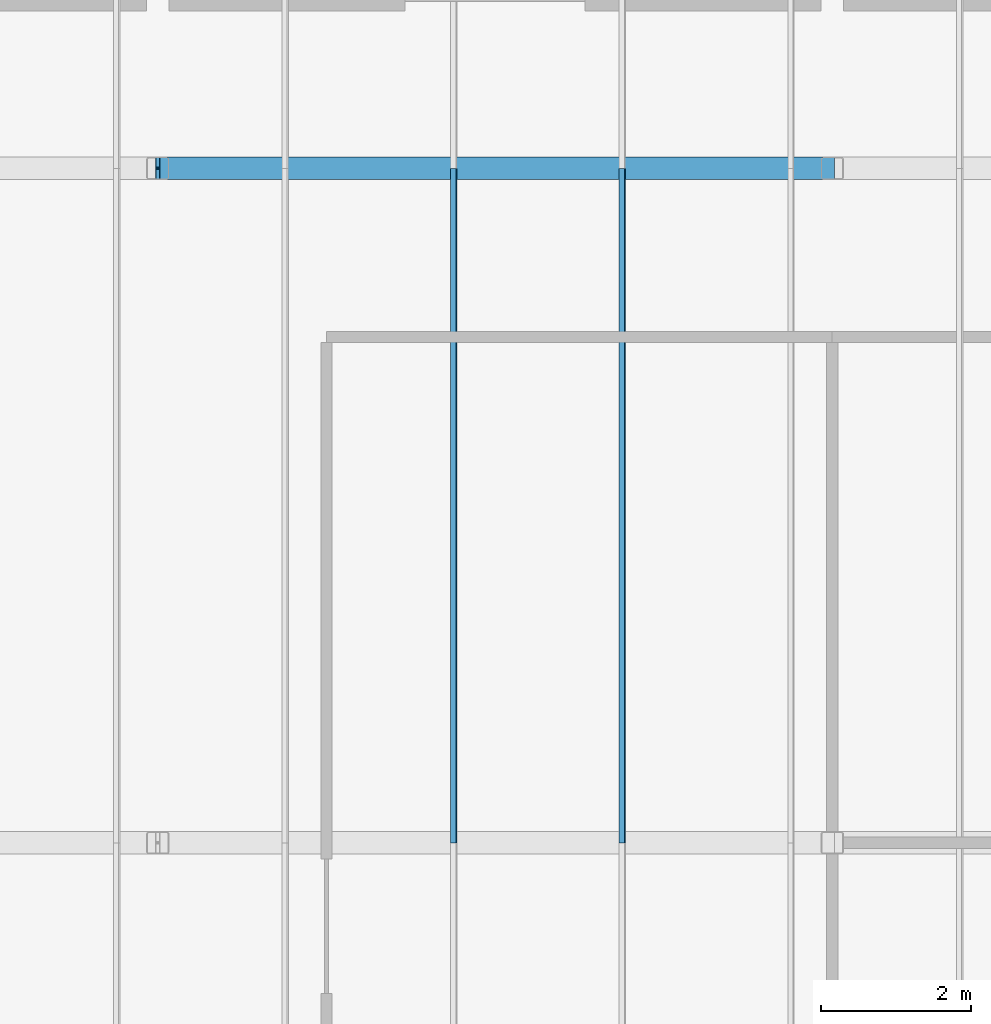
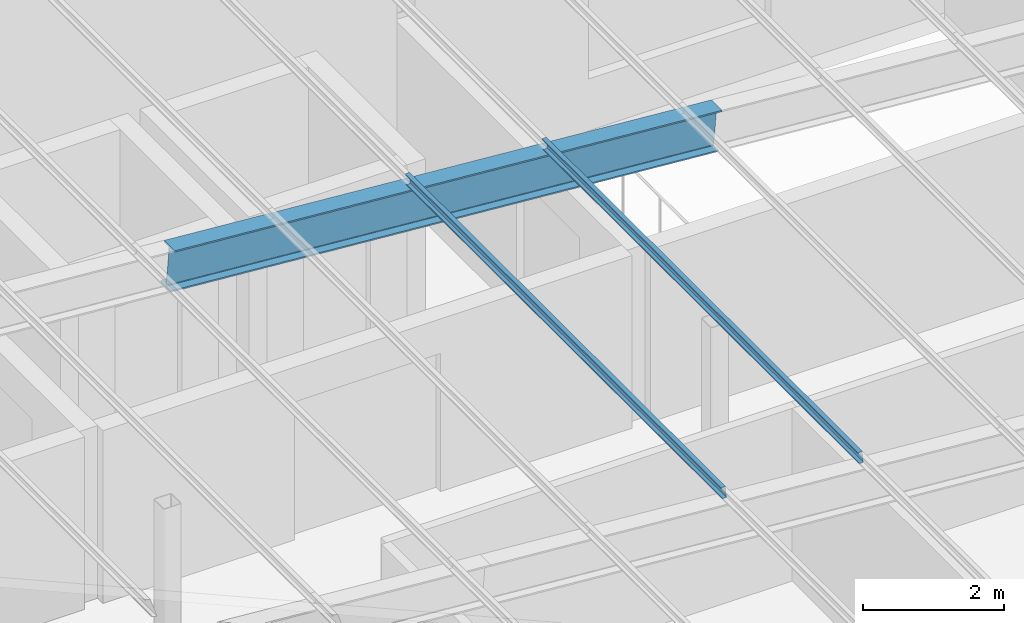
# One storey, part 52 of 85: 3 members.
"""IFC4 building model written with IfcOpenShell, lengths in metres."""

import ifcopenshell
import ifcopenshell.guid

model = None  # the IFC model being written
_history = None  # IfcOwnerHistory: only IFC2X3 demands one
_inside = {}  # id of a spatial element -> (the spatial element, [elements in it])
_under = {}  # id of a project, library or spatial element -> (it, [spatial elements below it])
_declared = {}  # id of a project -> (the project, [libraries it declares])
_typed = {}  # id of a type object -> (the type object, [elements of that type])
_made_of = {}  # id of a material, layer set ... -> (it, [elements and type objects made of it])


def new_model(schema):
    """Start an empty IFC model of exactly this schema.

    Asked for "IFC4X3", IfcOpenShell would pick the latest addendum, in which some entities
    have other attributes; the version numbers below select the first issue.
    IFC2X3 requires an IfcOwnerHistory on every rooted entity: one is made here for all.
    """
    global model, _history
    if schema == "IFC4X3":
        model = ifcopenshell.file(schema_version=(4, 3, 0, 0))
    else:
        model = ifcopenshell.file(schema=schema)
    _inside.clear()
    _under.clear()
    _declared.clear()
    _typed.clear()
    _made_of.clear()
    _history = None
    if model.schema == "IFC2X3":
        org = make("IfcOrganization", Name="unknown")
        user = make(
            "IfcPersonAndOrganization",
            ThePerson=make("IfcPerson", FamilyName="unknown"),
            TheOrganization=org,
        )
        app = make(
            "IfcApplication",
            ApplicationDeveloper=org,
            Version="unknown",
            ApplicationFullName="unknown",
            ApplicationIdentifier="unknown",
        )
        _history = make(
            "IfcOwnerHistory",
            OwningUser=user,
            OwningApplication=app,
            ChangeAction="ADDED",
            CreationDate=0,
        )
    return model


def make(cls, **values):
    """One entity of the class cls with the attributes given. An attribute that is None is left unset."""
    return model.create_entity(
        cls, **{name: value for name, value in values.items() if value is not None}
    )


def rooted(cls, **values):
    """An entity with a GlobalId (a new one), such as an element, a storey or a relation."""
    return make(cls, GlobalId=ifcopenshell.guid.new(), OwnerHistory=_history, **values)


def si_unit(unit_type, name, prefix=None):
    """IfcSIUnit, for example si_unit("LENGTHUNIT", "METRE", prefix="MILLI")."""
    return make("IfcSIUnit", UnitType=unit_type, Prefix=prefix, Name=name)


def assignment(units):
    """IfcUnitAssignment: the units of a project."""
    return None if units is None else make("IfcUnitAssignment", Units=units)


def point(xyz):
    """IfcCartesianPoint."""
    return None if xyz is None else make("IfcCartesianPoint", Coordinates=xyz)


def direction(xyz):
    """IfcDirection."""
    return None if xyz is None else make("IfcDirection", DirectionRatios=xyz)


def frame(location, z_axis=None, x_axis=None):
    """IfcAxis2Placement3D, a coordinate frame: its origin and axes. An axis left out is left unset."""
    return make(
        "IfcAxis2Placement3D",
        Location=point(location),
        Axis=direction(z_axis),
        RefDirection=direction(x_axis),
    )


def frame_2d(location, x_axis=None):
    """IfcAxis2Placement2D, a coordinate frame in the plane: its origin and x axis."""
    return make(
        "IfcAxis2Placement2D", Location=point(location), RefDirection=direction(x_axis)
    )


def origin():
    """The frame at (0, 0, 0) with its axes left unset."""
    return frame((0.0, 0.0, 0.0))


def origin_2d():
    """The frame at (0, 0) in the plane with its x axis left unset."""
    return frame_2d((0.0, 0.0))


def place(relative_to, where):
    """IfcLocalPlacement: puts the frame where relative to a parent placement (None: the world)."""
    return make(
        "IfcLocalPlacement", PlacementRelTo=relative_to, RelativePlacement=where
    )


def context(
    kind, dimensions, precision=None, world=None, true_north=None, identifier=None
):
    """IfcGeometricRepresentationContext, for example the 3D "Model" context."""
    return make(
        "IfcGeometricRepresentationContext",
        ContextIdentifier=identifier,
        ContextType=kind,
        CoordinateSpaceDimension=dimensions,
        Precision=precision,
        WorldCoordinateSystem=world,
        TrueNorth=true_north,
    )


def subcontext(parent, identifier, kind, view, scale=None):
    """IfcGeometricRepresentationSubContext, for example "Body" below "Model"."""
    return make(
        "IfcGeometricRepresentationSubContext",
        ContextIdentifier=identifier,
        ContextType=kind,
        ParentContext=parent,
        TargetScale=scale,
        TargetView=view,
    )


def project(units=None, contexts=None):
    """IfcProject with its units and contexts."""
    return rooted(
        "IfcProject",
        Name="project",
        RepresentationContexts=contexts,
        UnitsInContext=assignment(units),
    )


def spatial(cls, under=None, at=None, **own):
    """A site, building, storey or space (cls), placed at a placement, below another one or the project."""
    s = rooted(cls, ObjectPlacement=at, **own)
    if under is not None:
        _under.setdefault(under.id(), (under, []))[1].append(s)
    return s


def polyline(points):
    """IfcPolyline through the points."""
    return make("IfcPolyline", Points=[point(p) for p in points])


def profile(cls, at=None, kind="AREA", **sizes):
    """A parametric profile (cls). Its sizes go by their IFC names, for example OverallWidth=200.0."""
    return make(cls, ProfileType=kind, Position=at, **sizes)


def i_section(**sizes):
    """IfcIShapeProfileDef."""
    return profile("IfcIShapeProfileDef", **sizes)


def outline(outer, holes=None, kind="AREA"):
    """IfcArbitraryClosedProfileDef: a profile drawn as a closed curve; with holes, ...WithVoids."""
    if holes is None:
        return make("IfcArbitraryClosedProfileDef", ProfileType=kind, OuterCurve=outer)
    return make(
        "IfcArbitraryProfileDefWithVoids",
        ProfileType=kind,
        OuterCurve=outer,
        InnerCurves=holes,
    )


def extrude(swept, where, along, depth):
    """IfcExtrudedAreaSolid: the profile swept, set in the frame where, extruded along a direction by depth."""
    return make(
        "IfcExtrudedAreaSolid",
        SweptArea=swept,
        Position=where,
        ExtrudedDirection=direction(along),
        Depth=depth,
    )


def shape(context_of_items, identifier, shape_type, items):
    """IfcShapeRepresentation: the items that make up one representation, for example the "Body"."""
    return make(
        "IfcShapeRepresentation",
        ContextOfItems=context_of_items,
        RepresentationIdentifier=identifier,
        RepresentationType=shape_type,
        Items=items,
    )


def material(Name=None, Category=None):
    """IfcMaterial."""
    return make("IfcMaterial", Name=Name, Category=Category)


def material_profile(
    of_material, cross_section, Name=None, Category=None, Priority=None
):
    """IfcMaterialProfile: a cross section and its material."""
    return make(
        "IfcMaterialProfile",
        Name=Name,
        Material=of_material,
        Profile=cross_section,
        Priority=Priority,
        Category=Category,
    )


def profile_set(profiles, Name=None, composite=None):
    """IfcMaterialProfileSet."""
    return make(
        "IfcMaterialProfileSet",
        Name=Name,
        MaterialProfiles=profiles,
        CompositeProfile=composite,
    )


def made_of(thing, what):
    """Note that an element or type object is made of a material, layer set ...; save() writes the relation."""
    if what is not None:
        _made_of.setdefault(what.id(), (what, []))[1].append(thing)
    return thing


def type_object(cls, material=None, **own):
    """A type object (cls), such as IfcWallType, which elements share."""
    return made_of(rooted(cls, **own), material)


def element(
    cls,
    number,
    at=None,
    inside=None,
    cuts=None,
    type_object=None,
    material=None,
    context=None,
    identifier="Body",
    shape_type=None,
    held_by="IfcProductDefinitionShape",
    body=None,
    shapes=None,
    **own,
):
    """One element of the class cls, such as IfcWall. Its Tag is "e" and its number.

    at: its placement. inside: the storey or other place that contains it. cuts: it is an
    opening in that element (IfcRelVoidsElement). A single representation is given by context,
    identifier, shape_type and body (its items); several are given by shapes. held_by: the class
    of the entity that holds the representations. save() writes the other relations.
    """
    e = rooted(cls, Tag="e%d" % number, ObjectPlacement=at, **own)
    if body is not None:
        shapes = [shape(context, identifier, shape_type, body)]
    if shapes is not None:
        e.Representation = make(held_by, Representations=shapes)
    if inside is not None:
        _inside.setdefault(inside.id(), (inside, []))[1].append(e)
    if cuts is not None:
        rooted(
            "IfcRelVoidsElement", RelatingBuildingElement=cuts, RelatedOpeningElement=e
        )
    if type_object is not None:
        _typed.setdefault(type_object.id(), (type_object, []))[1].append(e)
    return made_of(e, material)


def aggregate(whole, parts):
    """IfcRelAggregates: a whole, such as a stair, and the parts it consists of."""
    return rooted("IfcRelAggregates", RelatingObject=whole, RelatedObjects=parts)


def save(model, path):
    """Write the relations noted so far, then the file.

    IfcRelAggregates (storeys below a building ...), IfcRelContainedInSpatialStructure (elements
    in a storey), IfcRelDefinesByType, IfcRelAssociatesMaterial and IfcRelDeclares: one each for
    every whole, place, type object, material and project.
    """
    for whole, parts in _under.values():
        aggregate(whole, parts)
    for where, things in _inside.values():
        rooted(
            "IfcRelContainedInSpatialStructure",
            RelatedElements=things,
            RelatingStructure=where,
        )
    for kind, things in _typed.values():
        rooted("IfcRelDefinesByType", RelatedObjects=things, RelatingType=kind)
    for what, things in _made_of.values():
        rooted("IfcRelAssociatesMaterial", RelatedObjects=things, RelatingMaterial=what)
    for by, libraries in _declared.values():
        rooted("IfcRelDeclares", RelatingContext=by, RelatedDefinitions=libraries)
    model.write(path)


model = new_model("IFC4")

# Units and contexts
model_context = context("Model", 3, precision=1e-05, world=origin(), true_north=direction((0.0, 1.0)))
body_context = subcontext(model_context, "Body", "Model", "MODEL_VIEW")
ifc_project = project(units=[si_unit("LENGTHUNIT", "METRE"), si_unit("AREAUNIT", "SQUARE_METRE"), si_unit("VOLUMEUNIT", "CUBIC_METRE"), si_unit("PLANEANGLEUNIT", "RADIAN"), si_unit("MASSUNIT", "GRAM", prefix="KILO")], contexts=[model_context])

# Site, building, storey
site_placement = place(None, origin())
site = spatial("IfcSite", under=ifc_project, at=site_placement, CompositionType="ELEMENT")
building_placement = place(site_placement, origin())
building = spatial("IfcBuilding", under=site, at=building_placement, Name="Opaline Strait Convention Centre", CompositionType="ELEMENT")
storey_placement = place(building_placement, frame((0.0, 0.0, 17.0)))
storey = spatial("IfcBuildingStorey", under=building, at=storey_placement, Name="L03", CompositionType="ELEMENT", Elevation=17.0)

# Members
ifc_material = material(Name="Steel Q355B", Category="steel")
ifc_material_profile_1 = material_profile(ifc_material, outline(polyline([(-0.034912109375, -0.10009765625), (0.034912109375, -0.10009765625), (0.034912109375, -0.080078125), (0.032470703125, -0.080078125), (0.032470703125, -0.097412109375), (-0.032470703125, -0.097412109375), (-0.032470703125, 0.097412109375), (0.032470703125, 0.097412109375), (0.032470703125, 0.080078125), (0.034912109375, 0.080078125), (0.034912109375, 0.10009765625), (-0.034912109375, 0.10009765625), (-0.034912109375, -0.10009765625)])), Name="C 200x70x20x2.5")
ifc_profile_set_1 = profile_set([ifc_material_profile_1], Name="Steel Q355B")
member_type_1 = type_object("IfcMemberType", Name="Roof purlin C 200x70x20x2.5", PredefinedType="PURLIN", material=ifc_profile_set_1)
for number, where, z_axis, x_axis, name in (
    (1, (294.199951171875, 162.0, 7.147705078125), (0.0, 1.0, 0.0), (-0.996917333733, 0.0, -0.078459095728), "MRP1 purlin W wing 149"),
    (2, (291.949951171875, 162.0, 7.324951171875), (0.0, 1.0, 0.0), (-0.996917333733, 0.0, -0.078459095728), "MRP1 purlin W wing 159"),
):
    element("IfcMember", number, at=place(storey_placement, frame(where, z_axis=z_axis, x_axis=x_axis)), inside=storey, type_object=member_type_1, Name=name, PredefinedType="PURLIN", context=body_context, shape_type="SweptSolid", body=[
        extrude(outline(polyline([(-0.034912109375, -0.10009765625), (0.034912109375, -0.10009765625), (0.034912109375, -0.080078125), (0.032470703125, -0.080078125), (0.032470703125, -0.097412109375), (-0.032470703125, -0.097412109375), (-0.032470703125, 0.097412109375), (0.032470703125, 0.097412109375), (0.032470703125, 0.080078125), (0.034912109375, 0.080078125), (0.034912109375, 0.10009765625), (-0.034912109375, 0.10009765625), (-0.034912109375, -0.10009765625)])), origin(), (0.0, 0.0, 1.0), 9.0),
    ])
ifc_material_profile_2 = material_profile(ifc_material, i_section(OverallWidth=0.300048828125, OverallDepth=0.699951171875, WebThickness=0.012939453125, FlangeThickness=0.02392578125, FilletRadius=0.01806640625, at=origin_2d()), Name="HN 700x300x13x24")
ifc_profile_set_2 = profile_set([ifc_material_profile_2], Name="Steel Q355B")
member_type_2 = type_object("IfcMemberType", Name="Roof rafter HN 700x300x13x24", PredefinedType="RAFTER", material=ifc_profile_set_2)
member_placement = place(storey_placement, frame((288.0, 171.0, 7.184326171875), z_axis=(0.996917883079, 0.0, -0.078452115311), x_axis=(0.0, 1.0, 0.0)))
element("IfcMember", 3, at=member_placement, inside=storey, type_object=member_type_2, Name="MRR1 rafter y 171", PredefinedType="RAFTER", context=body_context, shape_type="SweptSolid", body=[
    extrude(i_section(OverallWidth=0.300048828125, OverallDepth=0.699951171875, WebThickness=0.012939453125, FlangeThickness=0.02392578125, FilletRadius=0.01806640625, at=origin_2d()), origin(), (0.0, 0.0, 1.0), 9.02783203125),
])

save(model, "model.ifc")
